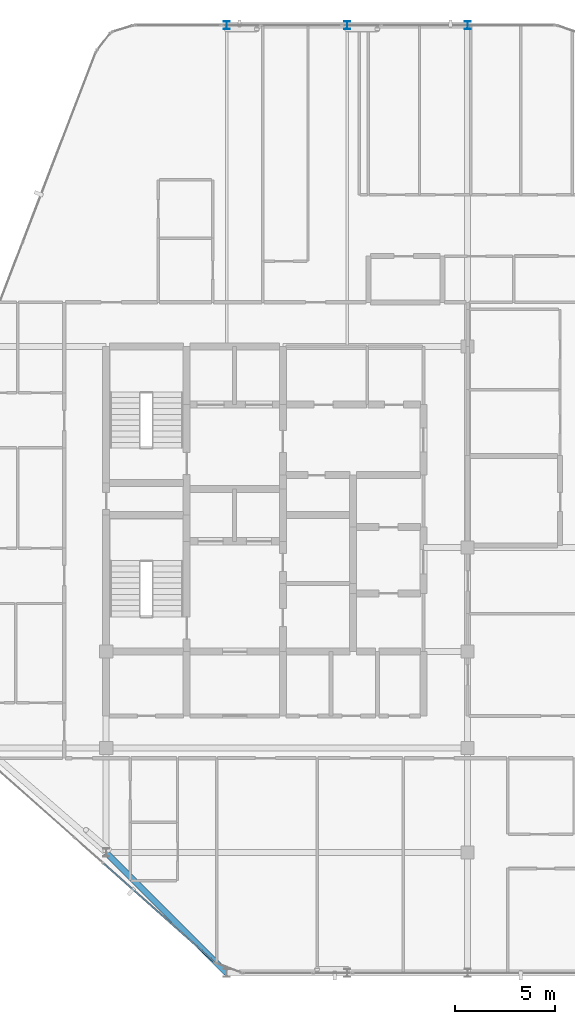
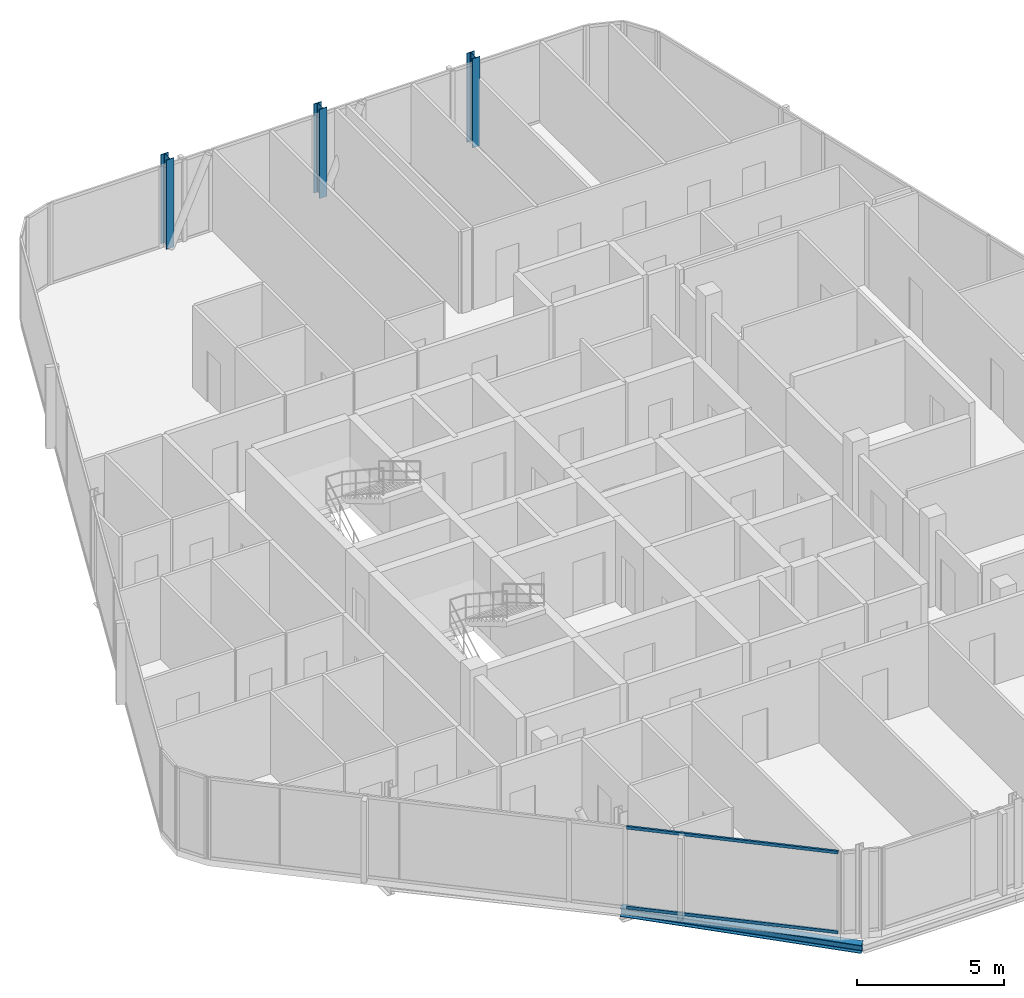
# One storey, part 2 of 27: 3 columns, 2 members, 1 beam, 1 element without a shape of its own.
"""IFC4 building model written with IfcOpenShell, lengths in metres."""

from ifc_helpers import new_model, si_unit, direction, frame, origin, origin_2d, place, context, subcontext, project, spatial, hollow_rectangle, i_section, extrude, material, layer, layer_set, material_profile, profile_set, type_object, element, aggregate, save


model = new_model("IFC4")

# Units and contexts
model_context = context("Model", 3, precision=1e-05, world=origin(), true_north=direction((0.0, 1.0)))
body_context = subcontext(model_context, "Body", "Model", "MODEL_VIEW")
ifc_project = project(units=[si_unit("LENGTHUNIT", "METRE"), si_unit("AREAUNIT", "SQUARE_METRE"), si_unit("VOLUMEUNIT", "CUBIC_METRE"), si_unit("PLANEANGLEUNIT", "RADIAN"), si_unit("MASSUNIT", "GRAM", prefix="KILO")], contexts=[model_context])

# Site, building, storey
site_placement = place(None, origin())
site = spatial("IfcSite", under=ifc_project, at=site_placement, CompositionType="ELEMENT")
building_placement = place(site_placement, origin())
building = spatial("IfcBuilding", under=site, at=building_placement, Name="Keshet Zoharim Tower", CompositionType="ELEMENT")
storey_placement = place(building_placement, frame((0.0, 0.0, 295.39990234375)))
storey = spatial("IfcBuildingStorey", under=building, at=storey_placement, Name="L74", CompositionType="ELEMENT", Elevation=295.39990234375)

# Columns
ifc_material_1 = material(Name="Steel S355", Category="steel")
ifc_material_profile_1 = material_profile(ifc_material_1, i_section(OverallWidth=0.300048828125, OverallDepth=0.39990234375, WebThickness=0.013427734375, FlangeThickness=0.02392578125, FilletRadius=0.027099609375, at=origin_2d()), Name="HEB400")
ifc_profile_set_1 = profile_set([ifc_material_profile_1], Name="Steel S355")
column_type = type_object("IfcColumnType", Name="COL-HEB400", PredefinedType="COLUMN", material=ifc_profile_set_1)
for number, where, z_axis, x_axis, name in (
    (1, (21.0, 53.89990234375, 0.0), (0.0, 0.0, 1.0), (1.0, 0.0, 0.0), "L74 Column 4L"),
    (2, (27.0, 53.89990234375, 0.0), (0.0, 0.0, 1.0), (1.0, 0.0, 0.0), "L74 Column 5L"),
    (3, (33.0, 53.89990234375, 0.0), (0.0, 0.0, 1.0), (1.0, 0.0, 0.0), "L74 Column 6L"),
):
    element("IfcColumn", number, at=place(storey_placement, frame(where, z_axis=z_axis, x_axis=x_axis)), inside=storey, type_object=column_type, Name=name, PredefinedType="COLUMN", context=body_context, shape_type="SweptSolid", body=[
        extrude(i_section(OverallWidth=0.300048828125, OverallDepth=0.39990234375, WebThickness=0.013427734375, FlangeThickness=0.02392578125, FilletRadius=0.027099609375, at=origin_2d()), origin(), (0.0, 0.0, 1.0), 3.7001953125),
    ])

# Beam
ifc_material_profile_2 = material_profile(ifc_material_1, i_section(OverallWidth=0.300048828125, OverallDepth=0.340087890625, WebThickness=0.011962890625, FlangeThickness=0.021484375, FilletRadius=0.027099609375, at=origin_2d()), Name="HEB340")
ifc_profile_set_2 = profile_set([ifc_material_profile_2], Name="Steel S355")
beam_type = type_object("IfcBeamType", Name="BM-SPN-HB340", PredefinedType="SPANDREL", material=ifc_profile_set_2)
beam_placement = place(storey_placement, frame((21.0, 6.699951171875, -0.47998046875), z_axis=(-0.707106781187, 0.707106781187, 0.0), x_axis=(-0.707106781187, -0.707106781187, 0.0)))
element("IfcBeam", 4, at=beam_placement, inside=storey, type_object=beam_type, Name="L74 Perimeter Spandrel Beam 01", PredefinedType="SPANDREL", context=body_context, shape_type="SweptSolid", body=[
    extrude(i_section(OverallWidth=0.300048828125, OverallDepth=0.340087890625, WebThickness=0.011962890625, FlangeThickness=0.021484375, FilletRadius=0.027099609375, at=origin_2d()), origin(), (0.0, 0.0, 1.0), 8.4853515625),
])

# Curtain wall, members
ifc_material_2 = material(Name="Aluminium 6063-T6", Category="aluminium")
ifc_layer = layer(ifc_material_2, 0.260009765625)
ifc_layer_set = layer_set([ifc_layer], Name="Aluminium 6063-T6")
curtain_wall_type = type_object("IfcCurtainWallType", Name="CW-SYS-06", PredefinedType="NOTDEFINED", material=ifc_layer_set)
curtain_wall_placement = place(storey_placement, origin())
curtain_wall = element("IfcCurtainWall", 5, at=curtain_wall_placement, inside=storey, type_object=curtain_wall_type, Name="L74 Unitised Curtain Wall 16", PredefinedType="NOTDEFINED")
ifc_material_profile_3 = material_profile(ifc_material_2, hollow_rectangle(XDim=0.074951171875, YDim=0.1201171875, WallThickness=0.00390625, at=origin_2d()), Name="TRN-75x120")
ifc_profile_set_3 = profile_set([ifc_material_profile_3], Name="Aluminium 6063-T6")
member_type = type_object("IfcMemberType", Name="CWT-T12", PredefinedType="USERDEFINED", material=ifc_profile_set_3)
member_1_placement = place(storey_placement, frame((20.379638671875, 7.25146484375, 0.03515625), z_axis=(-0.747412985939, 0.664359713145, 0.0), x_axis=(-0.664359713145, -0.747412985939, 0.0)))
member_1 = element("IfcMember", 6, at=member_1_placement, type_object=member_type, Name="CW-06 transom 1.1", ObjectType="TRANSOM", PredefinedType="USERDEFINED", context=body_context, shape_type="SweptSolid", body=[
    extrude(hollow_rectangle(XDim=0.074951171875, YDim=0.1201171875, WallThickness=0.00390625, at=origin_2d()), origin(), (0.0, 0.0, 1.0), 7.345947265625),
])
member_2_placement = place(storey_placement, frame((20.379638671875, 7.25146484375, 3.34521484375), z_axis=(-0.747412985939, 0.664359713145, 0.0), x_axis=(-0.664359713145, -0.747412985939, 0.0)))
member_2 = element("IfcMember", 7, at=member_2_placement, type_object=member_type, Name="CW-06 transom 1.2", ObjectType="TRANSOM", PredefinedType="USERDEFINED", context=body_context, shape_type="SweptSolid", body=[
    extrude(hollow_rectangle(XDim=0.074951171875, YDim=0.1201171875, WallThickness=0.00390625, at=origin_2d()), origin(), (0.0, 0.0, 1.0), 7.345947265625),
])
aggregate(curtain_wall, [member_1, member_2])

save(model, "model.ifc")
